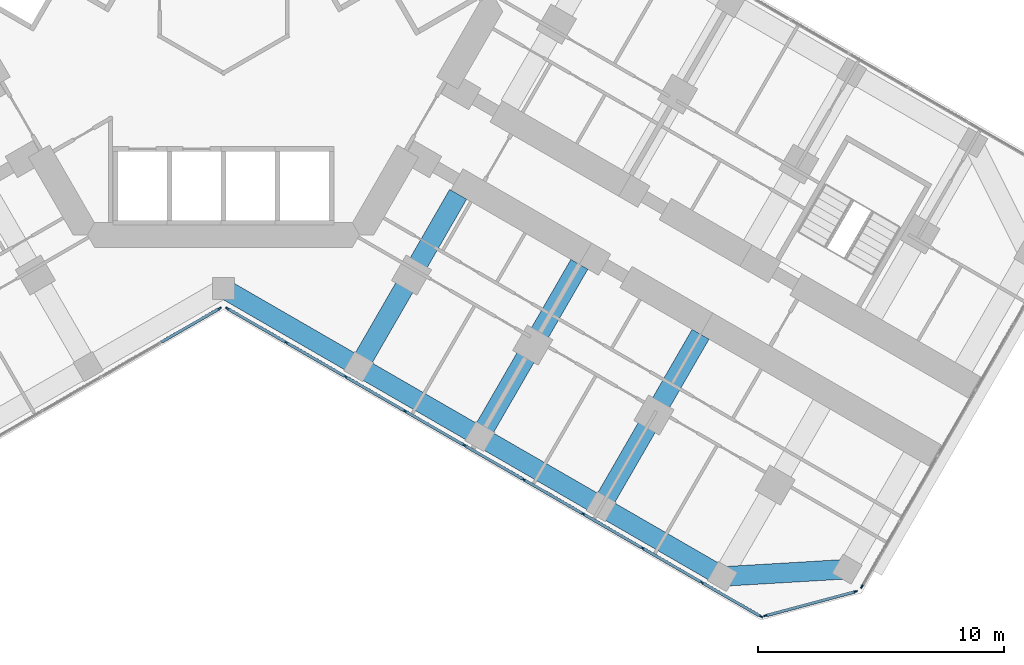
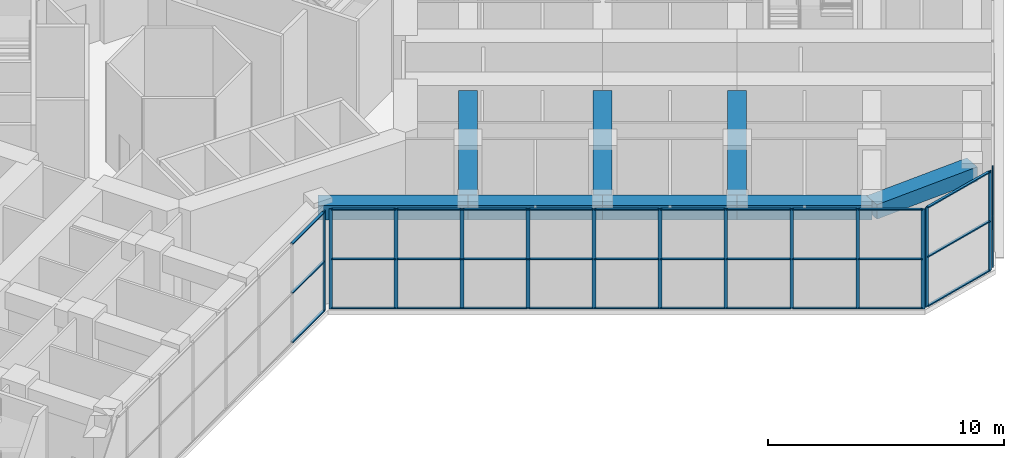
# One storey, part 5 of 23: 47 members, 8 beams, 4 elements without a shape of their own.
"""IFC4 building model written with IfcOpenShell, lengths in metres."""

import ifcopenshell
import ifcopenshell.guid

model = None  # the IFC model being written
_history = None  # IfcOwnerHistory: only IFC2X3 demands one
_inside = {}  # id of a spatial element -> (the spatial element, [elements in it])
_under = {}  # id of a project, library or spatial element -> (it, [spatial elements below it])
_declared = {}  # id of a project -> (the project, [libraries it declares])
_typed = {}  # id of a type object -> (the type object, [elements of that type])
_made_of = {}  # id of a material, layer set ... -> (it, [elements and type objects made of it])


def new_model(schema):
    """Start an empty IFC model of exactly this schema.

    Asked for "IFC4X3", IfcOpenShell would pick the latest addendum, in which some entities
    have other attributes; the version numbers below select the first issue.
    IFC2X3 requires an IfcOwnerHistory on every rooted entity: one is made here for all.
    """
    global model, _history
    if schema == "IFC4X3":
        model = ifcopenshell.file(schema_version=(4, 3, 0, 0))
    else:
        model = ifcopenshell.file(schema=schema)
    _inside.clear()
    _under.clear()
    _declared.clear()
    _typed.clear()
    _made_of.clear()
    _history = None
    if model.schema == "IFC2X3":
        org = make("IfcOrganization", Name="unknown")
        user = make(
            "IfcPersonAndOrganization",
            ThePerson=make("IfcPerson", FamilyName="unknown"),
            TheOrganization=org,
        )
        app = make(
            "IfcApplication",
            ApplicationDeveloper=org,
            Version="unknown",
            ApplicationFullName="unknown",
            ApplicationIdentifier="unknown",
        )
        _history = make(
            "IfcOwnerHistory",
            OwningUser=user,
            OwningApplication=app,
            ChangeAction="ADDED",
            CreationDate=0,
        )
    return model


def make(cls, **values):
    """One entity of the class cls with the attributes given. An attribute that is None is left unset."""
    return model.create_entity(
        cls, **{name: value for name, value in values.items() if value is not None}
    )


def rooted(cls, **values):
    """An entity with a GlobalId (a new one), such as an element, a storey or a relation."""
    return make(cls, GlobalId=ifcopenshell.guid.new(), OwnerHistory=_history, **values)


def si_unit(unit_type, name, prefix=None):
    """IfcSIUnit, for example si_unit("LENGTHUNIT", "METRE", prefix="MILLI")."""
    return make("IfcSIUnit", UnitType=unit_type, Prefix=prefix, Name=name)


def assignment(units):
    """IfcUnitAssignment: the units of a project."""
    return None if units is None else make("IfcUnitAssignment", Units=units)


def point(xyz):
    """IfcCartesianPoint."""
    return None if xyz is None else make("IfcCartesianPoint", Coordinates=xyz)


def direction(xyz):
    """IfcDirection."""
    return None if xyz is None else make("IfcDirection", DirectionRatios=xyz)


def frame(location, z_axis=None, x_axis=None):
    """IfcAxis2Placement3D, a coordinate frame: its origin and axes. An axis left out is left unset."""
    return make(
        "IfcAxis2Placement3D",
        Location=point(location),
        Axis=direction(z_axis),
        RefDirection=direction(x_axis),
    )


def frame_2d(location, x_axis=None):
    """IfcAxis2Placement2D, a coordinate frame in the plane: its origin and x axis."""
    return make(
        "IfcAxis2Placement2D", Location=point(location), RefDirection=direction(x_axis)
    )


def origin():
    """The frame at (0, 0, 0) with its axes left unset."""
    return frame((0.0, 0.0, 0.0))


def origin_2d():
    """The frame at (0, 0) in the plane with its x axis left unset."""
    return frame_2d((0.0, 0.0))


def place(relative_to, where):
    """IfcLocalPlacement: puts the frame where relative to a parent placement (None: the world)."""
    return make(
        "IfcLocalPlacement", PlacementRelTo=relative_to, RelativePlacement=where
    )


def context(
    kind, dimensions, precision=None, world=None, true_north=None, identifier=None
):
    """IfcGeometricRepresentationContext, for example the 3D "Model" context."""
    return make(
        "IfcGeometricRepresentationContext",
        ContextIdentifier=identifier,
        ContextType=kind,
        CoordinateSpaceDimension=dimensions,
        Precision=precision,
        WorldCoordinateSystem=world,
        TrueNorth=true_north,
    )


def subcontext(parent, identifier, kind, view, scale=None):
    """IfcGeometricRepresentationSubContext, for example "Body" below "Model"."""
    return make(
        "IfcGeometricRepresentationSubContext",
        ContextIdentifier=identifier,
        ContextType=kind,
        ParentContext=parent,
        TargetScale=scale,
        TargetView=view,
    )


def project(units=None, contexts=None):
    """IfcProject with its units and contexts."""
    return rooted(
        "IfcProject",
        Name="project",
        RepresentationContexts=contexts,
        UnitsInContext=assignment(units),
    )


def spatial(cls, under=None, at=None, **own):
    """A site, building, storey or space (cls), placed at a placement, below another one or the project."""
    s = rooted(cls, ObjectPlacement=at, **own)
    if under is not None:
        _under.setdefault(under.id(), (under, []))[1].append(s)
    return s


def profile(cls, at=None, kind="AREA", **sizes):
    """A parametric profile (cls). Its sizes go by their IFC names, for example OverallWidth=200.0."""
    return make(cls, ProfileType=kind, Position=at, **sizes)


def rectangle(**sizes):
    """IfcRectangleProfileDef."""
    return profile("IfcRectangleProfileDef", **sizes)


def extrude(swept, where, along, depth):
    """IfcExtrudedAreaSolid: the profile swept, set in the frame where, extruded along a direction by depth."""
    return make(
        "IfcExtrudedAreaSolid",
        SweptArea=swept,
        Position=where,
        ExtrudedDirection=direction(along),
        Depth=depth,
    )


def shape(context_of_items, identifier, shape_type, items):
    """IfcShapeRepresentation: the items that make up one representation, for example the "Body"."""
    return make(
        "IfcShapeRepresentation",
        ContextOfItems=context_of_items,
        RepresentationIdentifier=identifier,
        RepresentationType=shape_type,
        Items=items,
    )


def material(Name=None, Category=None):
    """IfcMaterial."""
    return make("IfcMaterial", Name=Name, Category=Category)


def material_profile(
    of_material, cross_section, Name=None, Category=None, Priority=None
):
    """IfcMaterialProfile: a cross section and its material."""
    return make(
        "IfcMaterialProfile",
        Name=Name,
        Material=of_material,
        Profile=cross_section,
        Priority=Priority,
        Category=Category,
    )


def profile_set(profiles, Name=None, composite=None):
    """IfcMaterialProfileSet."""
    return make(
        "IfcMaterialProfileSet",
        Name=Name,
        MaterialProfiles=profiles,
        CompositeProfile=composite,
    )


def made_of(thing, what):
    """Note that an element or type object is made of a material, layer set ...; save() writes the relation."""
    if what is not None:
        _made_of.setdefault(what.id(), (what, []))[1].append(thing)
    return thing


def type_object(cls, material=None, **own):
    """A type object (cls), such as IfcWallType, which elements share."""
    return made_of(rooted(cls, **own), material)


def element(
    cls,
    number,
    at=None,
    inside=None,
    cuts=None,
    type_object=None,
    material=None,
    context=None,
    identifier="Body",
    shape_type=None,
    held_by="IfcProductDefinitionShape",
    body=None,
    shapes=None,
    **own,
):
    """One element of the class cls, such as IfcWall. Its Tag is "e" and its number.

    at: its placement. inside: the storey or other place that contains it. cuts: it is an
    opening in that element (IfcRelVoidsElement). A single representation is given by context,
    identifier, shape_type and body (its items); several are given by shapes. held_by: the class
    of the entity that holds the representations. save() writes the other relations.
    """
    e = rooted(cls, Tag="e%d" % number, ObjectPlacement=at, **own)
    if body is not None:
        shapes = [shape(context, identifier, shape_type, body)]
    if shapes is not None:
        e.Representation = make(held_by, Representations=shapes)
    if inside is not None:
        _inside.setdefault(inside.id(), (inside, []))[1].append(e)
    if cuts is not None:
        rooted(
            "IfcRelVoidsElement", RelatingBuildingElement=cuts, RelatedOpeningElement=e
        )
    if type_object is not None:
        _typed.setdefault(type_object.id(), (type_object, []))[1].append(e)
    return made_of(e, material)


def aggregate(whole, parts):
    """IfcRelAggregates: a whole, such as a stair, and the parts it consists of."""
    return rooted("IfcRelAggregates", RelatingObject=whole, RelatedObjects=parts)


def save(model, path):
    """Write the relations noted so far, then the file.

    IfcRelAggregates (storeys below a building ...), IfcRelContainedInSpatialStructure (elements
    in a storey), IfcRelDefinesByType, IfcRelAssociatesMaterial and IfcRelDeclares: one each for
    every whole, place, type object, material and project.
    """
    for whole, parts in _under.values():
        aggregate(whole, parts)
    for where, things in _inside.values():
        rooted(
            "IfcRelContainedInSpatialStructure",
            RelatedElements=things,
            RelatingStructure=where,
        )
    for kind, things in _typed.values():
        rooted("IfcRelDefinesByType", RelatedObjects=things, RelatingType=kind)
    for what, things in _made_of.values():
        rooted("IfcRelAssociatesMaterial", RelatedObjects=things, RelatingMaterial=what)
    for by, libraries in _declared.values():
        rooted("IfcRelDeclares", RelatingContext=by, RelatedDefinitions=libraries)
    model.write(path)


model = new_model("IFC4")

# Units and contexts
model_context = context("Model", 3, precision=1e-05, world=origin(), true_north=direction((0.0, 1.0)))
body_context = subcontext(model_context, "Body", "Model", "MODEL_VIEW")
ifc_project = project(units=[si_unit("LENGTHUNIT", "METRE"), si_unit("AREAUNIT", "SQUARE_METRE"), si_unit("VOLUMEUNIT", "CUBIC_METRE"), si_unit("PLANEANGLEUNIT", "RADIAN"), si_unit("MASSUNIT", "GRAM", prefix="KILO")], contexts=[model_context])

# Site, building, storey
site_placement = place(None, origin())
site = spatial("IfcSite", under=ifc_project, at=site_placement, CompositionType="ELEMENT")
building_placement = place(site_placement, origin())
building = spatial("IfcBuilding", under=site, at=building_placement, Name="Kosmar Iwan School Tower", CompositionType="ELEMENT")
storey_placement = place(building_placement, frame((0.0, 0.0, 75.39990234375)))
storey = spatial("IfcBuildingStorey", under=building, at=storey_placement, Name="L18", CompositionType="ELEMENT", Elevation=75.39990234375)

# Curtain wall, member
ifc_material_1 = material(Name="Dark glass in black aluminium frame", Category="aluminium")
curtain_wall_type_1 = type_object("IfcCurtainWallType", Name="Winter garden curtain wall", PredefinedType="USERDEFINED", material=ifc_material_1)
curtain_wall_1_placement = place(storey_placement, origin())
curtain_wall_1 = element("IfcCurtainWall", 1, at=curtain_wall_1_placement, inside=storey, type_object=curtain_wall_type_1, Name="Curtain wall L18-F00", ObjectType="WINTER GARDEN CURTAIN WALL", PredefinedType="USERDEFINED")
ifc_material_2 = material(Name="Black anodised aluminium", Category="aluminium")
ifc_material_profile_1 = material_profile(ifc_material_2, rectangle(XDim=0.06005859375, YDim=0.159912109375, at=origin_2d()), Name="MULLION 60x160")
ifc_profile_set_1 = profile_set([ifc_material_profile_1], Name="Black anodised aluminium")
member_type_1 = type_object("IfcMemberType", Name="Mullion 60x160", PredefinedType="MULLION", material=ifc_profile_set_1)
member_1_placement = place(storey_placement, frame((-0.163818359375, -12.59423828125, 0.0), z_axis=(0.0, 0.0, 1.0), x_axis=(0.500000014888, -0.866025395189, 0.0)))
member_1 = element("IfcMember", 2, at=member_1_placement, type_object=member_type_1, Name="CW7 mullion 1", PredefinedType="MULLION", context=body_context, shape_type="SweptSolid", body=[
    extrude(rectangle(XDim=0.06005859375, YDim=0.159912109375, at=origin_2d()), origin(), (0.0, 0.0, 1.0), 5.150146484375),
])

# Curtain wall, members
curtain_wall_2_placement = place(storey_placement, origin())
curtain_wall_2 = element("IfcCurtainWall", 3, at=curtain_wall_2_placement, inside=storey, type_object=curtain_wall_type_1, Name="Curtain wall L18-F01", ObjectType="WINTER GARDEN CURTAIN WALL", PredefinedType="USERDEFINED")
member_2_placement = place(storey_placement, frame((0.163818359375, -12.59423828125, 0.0), z_axis=(0.0, 0.0, 1.0), x_axis=(0.500000014888, 0.866025395189, 0.0)))
member_2 = element("IfcMember", 4, at=member_2_placement, type_object=member_type_1, Name="CW7 mullion 1", PredefinedType="MULLION", context=body_context, shape_type="SweptSolid", body=[
    extrude(rectangle(XDim=0.06005859375, YDim=0.159912109375, at=origin_2d()), origin(), (0.0, 0.0, 1.0), 5.150146484375),
])
member_3_placement = place(storey_placement, frame((2.556884765625, -13.975830078125, 0.0), z_axis=(0.0, 0.0, 1.0), x_axis=(0.500000014888, 0.866025395189, 0.0)))
member_3 = element("IfcMember", 5, at=member_3_placement, type_object=member_type_1, Name="CW7 mullion 2", PredefinedType="MULLION", context=body_context, shape_type="SweptSolid", body=[
    extrude(rectangle(XDim=0.06005859375, YDim=0.159912109375, at=origin_2d()), origin(), (0.0, 0.0, 1.0), 5.150146484375),
])
member_4_placement = place(storey_placement, frame((4.975830078125, -15.37255859375, 0.0), z_axis=(0.0, 0.0, 1.0), x_axis=(0.500000014888, 0.866025395189, 0.0)))
member_4 = element("IfcMember", 6, at=member_4_placement, type_object=member_type_1, Name="CW7 mullion 3", PredefinedType="MULLION", context=body_context, shape_type="SweptSolid", body=[
    extrude(rectangle(XDim=0.06005859375, YDim=0.159912109375, at=origin_2d()), origin(), (0.0, 0.0, 1.0), 5.150146484375),
])
member_5_placement = place(storey_placement, frame((7.39501953125, -16.76904296875, 0.0), z_axis=(0.0, 0.0, 1.0), x_axis=(0.500000014888, 0.866025395189, 0.0)))
member_5 = element("IfcMember", 7, at=member_5_placement, type_object=member_type_1, Name="CW7 mullion 4", PredefinedType="MULLION", context=body_context, shape_type="SweptSolid", body=[
    extrude(rectangle(XDim=0.06005859375, YDim=0.159912109375, at=origin_2d()), origin(), (0.0, 0.0, 1.0), 5.150146484375),
])
member_6_placement = place(storey_placement, frame((9.81396484375, -18.165771484375, 0.0), z_axis=(0.0, 0.0, 1.0), x_axis=(0.500000014888, 0.866025395189, 0.0)))
member_6 = element("IfcMember", 8, at=member_6_placement, type_object=member_type_1, Name="CW7 mullion 5", PredefinedType="MULLION", context=body_context, shape_type="SweptSolid", body=[
    extrude(rectangle(XDim=0.06005859375, YDim=0.159912109375, at=origin_2d()), origin(), (0.0, 0.0, 1.0), 5.150146484375),
])
member_7_placement = place(storey_placement, frame((12.23291015625, -19.562255859375, 0.0), z_axis=(0.0, 0.0, 1.0), x_axis=(0.500000014888, 0.866025395189, 0.0)))
member_7 = element("IfcMember", 9, at=member_7_placement, type_object=member_type_1, Name="CW7 mullion 6", PredefinedType="MULLION", context=body_context, shape_type="SweptSolid", body=[
    extrude(rectangle(XDim=0.06005859375, YDim=0.159912109375, at=origin_2d()), origin(), (0.0, 0.0, 1.0), 5.150146484375),
])
member_8_placement = place(storey_placement, frame((14.652099609375, -20.958984375, 0.0), z_axis=(0.0, 0.0, 1.0), x_axis=(0.500000014888, 0.866025395189, 0.0)))
member_8 = element("IfcMember", 10, at=member_8_placement, type_object=member_type_1, Name="CW7 mullion 7", PredefinedType="MULLION", context=body_context, shape_type="SweptSolid", body=[
    extrude(rectangle(XDim=0.06005859375, YDim=0.159912109375, at=origin_2d()), origin(), (0.0, 0.0, 1.0), 5.150146484375),
])
member_9_placement = place(storey_placement, frame((17.071044921875, -22.35546875, 0.0), z_axis=(0.0, 0.0, 1.0), x_axis=(0.500000014888, 0.866025395189, 0.0)))
member_9 = element("IfcMember", 11, at=member_9_placement, type_object=member_type_1, Name="CW7 mullion 8", PredefinedType="MULLION", context=body_context, shape_type="SweptSolid", body=[
    extrude(rectangle(XDim=0.06005859375, YDim=0.159912109375, at=origin_2d()), origin(), (0.0, 0.0, 1.0), 5.150146484375),
])
member_10_placement = place(storey_placement, frame((19.489990234375, -23.752197265625, 0.0), z_axis=(0.0, 0.0, 1.0), x_axis=(0.500000014888, 0.866025395189, 0.0)))
member_10 = element("IfcMember", 12, at=member_10_placement, type_object=member_type_1, Name="CW7 mullion 9", PredefinedType="MULLION", context=body_context, shape_type="SweptSolid", body=[
    extrude(rectangle(XDim=0.06005859375, YDim=0.159912109375, at=origin_2d()), origin(), (0.0, 0.0, 1.0), 5.150146484375),
])
member_11_placement = place(storey_placement, frame((21.883056640625, -25.1337890625, 0.0), z_axis=(0.0, 0.0, 1.0), x_axis=(0.500000014888, 0.866025395189, 0.0)))
member_11 = element("IfcMember", 13, at=member_11_placement, type_object=member_type_1, Name="CW7 mullion 10", PredefinedType="MULLION", context=body_context, shape_type="SweptSolid", body=[
    extrude(rectangle(XDim=0.06005859375, YDim=0.159912109375, at=origin_2d()), origin(), (0.0, 0.0, 1.0), 5.150146484375),
])

ifc_material_3 = material(Name="Dark glass in black aluminium frame", Category="aluminium")
curtain_wall_type_2 = type_object("IfcCurtainWallType", Name="Chamfer curtain wall dark glass", PredefinedType="USERDEFINED", material=ifc_material_3)
curtain_wall_3_placement = place(storey_placement, origin())
curtain_wall_3 = element("IfcCurtainWall", 14, at=curtain_wall_3_placement, inside=storey, type_object=curtain_wall_type_2, Name="Curtain wall L18-F02", ObjectType="FACETED CURTAIN WALL", PredefinedType="USERDEFINED")
member_12_placement = place(storey_placement, frame((22.0830078125, -25.102294921875, 0.0), z_axis=(0.0, 0.0, 1.0), x_axis=(-0.258818861462, 0.965925875495, 0.0)))
member_12 = element("IfcMember", 15, at=member_12_placement, type_object=member_type_1, Name="CW2 mullion 1", PredefinedType="MULLION", context=body_context, shape_type="SweptSolid", body=[
    extrude(rectangle(XDim=0.06005859375, YDim=0.159912109375, at=origin_2d()), origin(), (0.0, 0.0, 1.0), 5.150146484375),
])
member_13_placement = place(storey_placement, frame((25.733154296875, -24.124267578125, 0.0), z_axis=(0.0, 0.0, 1.0), x_axis=(-0.258818861462, 0.965925875495, 0.0)))
member_13 = element("IfcMember", 16, at=member_13_placement, type_object=member_type_1, Name="CW2 mullion 2", PredefinedType="MULLION", context=body_context, shape_type="SweptSolid", body=[
    extrude(rectangle(XDim=0.06005859375, YDim=0.159912109375, at=origin_2d()), origin(), (0.0, 0.0, 1.0), 5.150146484375),
])

# Curtain wall, member
ifc_material_4 = material(Name="Dark glass in black aluminium frame", Category="aluminium")
curtain_wall_type_3 = type_object("IfcCurtainWallType", Name="Tower curtain wall dark glass", PredefinedType="USERDEFINED", material=ifc_material_4)
curtain_wall_4_placement = place(storey_placement, origin())
curtain_wall_4 = element("IfcCurtainWall", 17, at=curtain_wall_4_placement, inside=storey, type_object=curtain_wall_type_3, Name="Curtain wall L18-F03", ObjectType="UNITISED CURTAIN WALL", PredefinedType="USERDEFINED")
member_14_placement = place(storey_placement, frame((25.9970703125, -23.921630859375, 0.0), z_axis=(0.0, 0.0, 1.0), x_axis=(-0.866025405329, 0.499999997325, 0.0)))
member_14 = element("IfcMember", 18, at=member_14_placement, type_object=member_type_1, Name="CW1 mullion 1", PredefinedType="MULLION", context=body_context, shape_type="SweptSolid", body=[
    extrude(rectangle(XDim=0.06005859375, YDim=0.159912109375, at=origin_2d()), origin(), (0.0, 0.0, 1.0), 5.150146484375),
])
aggregate(curtain_wall_4, [member_14])

# Beams
ifc_material_5 = material(Name="Concrete C50/60", Category="concrete")
ifc_material_profile_2 = material_profile(ifc_material_5, rectangle(XDim=0.800048828125, YDim=0.75, at=origin_2d()), Name="RC 800x750")
ifc_profile_set_2 = profile_set([ifc_material_profile_2], Name="Concrete C50/60")
beam_type_1 = type_object("IfcBeamType", Name="RC edge beam 800x750", PredefinedType="BEAM", material=ifc_profile_set_2)
beam_1_placement = place(storey_placement, frame((0.0, -11.77783203125, 4.775146484375), z_axis=(0.866014293216, -0.500019243575, 0.0), x_axis=(0.500019243575, 0.866014293216, 0.0)))
element("IfcBeam", 19, at=beam_1_placement, inside=storey, type_object=beam_type_1, Name="Edge beam CR1", PredefinedType="BEAM", context=body_context, shape_type="SweptSolid", body=[
    extrude(rectangle(XDim=0.800048828125, YDim=0.75, at=origin_2d()), origin(), (0.0, 0.0, 1.0), 6.361083984375),
])
beam_2_placement = place(storey_placement, frame((5.5087890625, -14.95849609375, 4.775146484375), z_axis=(0.866033658841, -0.49998570155, 0.0), x_axis=(0.49998570155, 0.866033658841, 0.0)))
element("IfcBeam", 20, at=beam_2_placement, inside=storey, type_object=beam_type_1, Name="Edge beam CR2", PredefinedType="BEAM", context=body_context, shape_type="SweptSolid", body=[
    extrude(rectangle(XDim=0.800048828125, YDim=0.75, at=origin_2d()), origin(), (0.0, 0.0, 1.0), 5.699951171875),
])
beam_3_placement = place(storey_placement, frame((10.445068359375, -17.808349609375, 4.775146484375), z_axis=(0.866025820012, -0.499999279071, 0.0), x_axis=(0.499999279071, 0.866025820012, 0.0)))
element("IfcBeam", 21, at=beam_3_placement, inside=storey, type_object=beam_type_1, Name="Edge beam CR3", PredefinedType="BEAM", context=body_context, shape_type="SweptSolid", body=[
    extrude(rectangle(XDim=0.800048828125, YDim=0.75, at=origin_2d()), origin(), (0.0, 0.0, 1.0), 5.7001953125),
])
beam_4_placement = place(storey_placement, frame((15.381591796875, -20.658447265625, 4.775146484375), z_axis=(0.866015111908, -0.50001782563, 0.0), x_axis=(0.50001782563, 0.866015111908, 0.0)))
element("IfcBeam", 22, at=beam_4_placement, inside=storey, type_object=beam_type_1, Name="Edge beam CR4", PredefinedType="BEAM", context=body_context, shape_type="SweptSolid", body=[
    extrude(rectangle(XDim=0.800048828125, YDim=0.75, at=origin_2d()), origin(), (0.0, 0.0, 1.0), 5.699951171875),
])
ifc_material_6 = material(Name="Concrete C50/60", Category="concrete")
ifc_material_profile_3 = material_profile(ifc_material_6, rectangle(XDim=0.800048828125, YDim=0.75, at=origin_2d()), Name="RC 800x750")
ifc_profile_set_3 = profile_set([ifc_material_profile_3], Name="Concrete C50/60")
beam_type_2 = type_object("IfcBeamType", Name="RC tip beam 800x750", PredefinedType="BEAM", material=ifc_profile_set_3)
beam_5_placement = place(storey_placement, frame((20.31787109375, -23.508544921875, 4.775146484375), z_axis=(0.998260616478, 0.058955420358, 0.0), x_axis=(-0.058955420358, 0.998260616478, 0.0)))
element("IfcBeam", 23, at=beam_5_placement, inside=storey, type_object=beam_type_2, Name="Tip beam CR", PredefinedType="BEAM", context=body_context, shape_type="SweptSolid", body=[
    extrude(rectangle(XDim=0.800048828125, YDim=0.75, at=origin_2d()), origin(), (0.0, 0.0, 1.0), 5.08935546875),
])
ifc_material_7 = material(Name="Concrete C50/60", Category="concrete")
ifc_material_profile_4 = material_profile(ifc_material_7, rectangle(XDim=0.800048828125, YDim=0.89990234375, at=origin_2d()), Name="RC 800x900")
ifc_profile_set_4 = profile_set([ifc_material_profile_4], Name="Concrete C50/60")
beam_type_3 = type_object("IfcBeamType", Name="RC transverse beam 800x900", PredefinedType="BEAM", material=ifc_profile_set_4)
beam_6_placement = place(storey_placement, frame((5.5087890625, -14.95849609375, 4.7001953125), z_axis=(0.499999880539, 0.866025472755, 0.0), x_axis=(-0.866025472755, 0.499999880539, 0.0)))
element("IfcBeam", 24, at=beam_6_placement, inside=storey, type_object=beam_type_3, Name="Transverse beam CR1", PredefinedType="BEAM", context=body_context, shape_type="SweptSolid", body=[
    extrude(rectangle(XDim=0.800048828125, YDim=0.89990234375, at=origin_2d()), origin(), (0.0, 0.0, 1.0), 8.10009765625),
])
beam_7_placement = place(storey_placement, frame((10.445068359375, -17.808349609375, 4.7001953125), z_axis=(0.500012932018, 0.866017937352, 0.0), x_axis=(-0.866017937352, 0.500012932018, 0.0)))
element("IfcBeam", 25, at=beam_7_placement, inside=storey, type_object=beam_type_3, Name="Transverse beam CR2", PredefinedType="BEAM", context=body_context, shape_type="SweptSolid", body=[
    extrude(rectangle(XDim=0.800048828125, YDim=0.89990234375, at=origin_2d()), origin(), (0.0, 0.0, 1.0), 8.099853515625),
])
beam_8_placement = place(storey_placement, frame((15.381591796875, -20.658447265625, 4.7001953125), z_axis=(0.499977274689, 0.866038523851, 0.0), x_axis=(-0.866038523851, 0.499977274689, 0.0)))
element("IfcBeam", 26, at=beam_8_placement, inside=storey, type_object=beam_type_3, Name="Transverse beam CR3", PredefinedType="BEAM", context=body_context, shape_type="SweptSolid", body=[
    extrude(rectangle(XDim=0.800048828125, YDim=0.89990234375, at=origin_2d()), origin(), (0.0, 0.0, 1.0), 8.10009765625),
])

# Member
ifc_material_8 = material(Name="Black anodised aluminium", Category="aluminium")
ifc_material_profile_5 = material_profile(ifc_material_8, rectangle(XDim=0.1201171875, YDim=0.06005859375, at=origin_2d()), Name="TRANSOM 60x120")
ifc_profile_set_5 = profile_set([ifc_material_profile_5], Name="Black anodised aluminium")
member_type_2 = type_object("IfcMemberType", Name="Transom 60x120", PredefinedType="USERDEFINED", material=ifc_profile_set_5)
member_15_placement = place(storey_placement, frame((-0.189697265625, -12.609130859375, 0.030029296875), z_axis=(-0.865994576166, -0.500053391201, 0.0), x_axis=(0.500053391201, -0.865994576166, 0.0)))
member_15 = element("IfcMember", 27, at=member_15_placement, type_object=member_type_2, Name="CW7 transom 1.1", ObjectType="TRANSOM", PredefinedType="USERDEFINED", context=body_context, shape_type="SweptSolid", body=[
    extrude(rectangle(XDim=0.1201171875, YDim=0.06005859375, at=origin_2d()), origin(), (0.0, 0.0, 1.0), 2.703369140625),
])

member_16_placement = place(storey_placement, frame((-0.189697265625, -12.609130859375, 2.5751953125), z_axis=(-0.865994576166, -0.500053391201, 0.0), x_axis=(0.500053391201, -0.865994576166, 0.0)))
member_16 = element("IfcMember", 28, at=member_16_placement, type_object=member_type_2, Name="CW7 transom 1.2", ObjectType="TRANSOM", PredefinedType="USERDEFINED", context=body_context, shape_type="SweptSolid", body=[
    extrude(rectangle(XDim=0.1201171875, YDim=0.06005859375, at=origin_2d()), origin(), (0.0, 0.0, 1.0), 2.703369140625),
])

member_17_placement = place(storey_placement, frame((-0.189697265625, -12.609130859375, 5.1201171875), z_axis=(-0.865994576166, -0.500053391201, 0.0), x_axis=(0.500053391201, -0.865994576166, 0.0)))
member_17 = element("IfcMember", 29, at=member_17_placement, type_object=member_type_2, Name="CW7 transom 1.3", ObjectType="TRANSOM", PredefinedType="USERDEFINED", context=body_context, shape_type="SweptSolid", body=[
    extrude(rectangle(XDim=0.1201171875, YDim=0.06005859375, at=origin_2d()), origin(), (0.0, 0.0, 1.0), 2.703369140625),
])

aggregate(curtain_wall_1, [member_1, member_15, member_16, member_17])

member_18_placement = place(storey_placement, frame((0.189697265625, -12.609130859375, 0.030029296875), z_axis=(0.865994576166, -0.500053391201, 0.0), x_axis=(0.500053391201, 0.865994576166, 0.0)))
member_18 = element("IfcMember", 30, at=member_18_placement, type_object=member_type_2, Name="CW7 transom 1.1", ObjectType="TRANSOM", PredefinedType="USERDEFINED", context=body_context, shape_type="SweptSolid", body=[
    extrude(rectangle(XDim=0.1201171875, YDim=0.06005859375, at=origin_2d()), origin(), (0.0, 0.0, 1.0), 2.703369140625),
])

member_19_placement = place(storey_placement, frame((0.189697265625, -12.609130859375, 2.5751953125), z_axis=(0.865994576166, -0.500053391201, 0.0), x_axis=(0.500053391201, 0.865994576166, 0.0)))
member_19 = element("IfcMember", 31, at=member_19_placement, type_object=member_type_2, Name="CW7 transom 1.2", ObjectType="TRANSOM", PredefinedType="USERDEFINED", context=body_context, shape_type="SweptSolid", body=[
    extrude(rectangle(XDim=0.1201171875, YDim=0.06005859375, at=origin_2d()), origin(), (0.0, 0.0, 1.0), 2.703369140625),
])

member_20_placement = place(storey_placement, frame((0.189697265625, -12.609130859375, 5.1201171875), z_axis=(0.865994576166, -0.500053391201, 0.0), x_axis=(0.500053391201, 0.865994576166, 0.0)))
member_20 = element("IfcMember", 32, at=member_20_placement, type_object=member_type_2, Name="CW7 transom 1.3", ObjectType="TRANSOM", PredefinedType="USERDEFINED", context=body_context, shape_type="SweptSolid", body=[
    extrude(rectangle(XDim=0.1201171875, YDim=0.06005859375, at=origin_2d()), origin(), (0.0, 0.0, 1.0), 2.703369140625),
])

member_21_placement = place(storey_placement, frame((2.582763671875, -13.99072265625, 0.030029296875), z_axis=(0.8660249478, -0.500000789788, 0.0), x_axis=(0.500000789788, 0.8660249478, 0.0)))
member_21 = element("IfcMember", 33, at=member_21_placement, type_object=member_type_2, Name="CW7 transom 2.1", ObjectType="TRANSOM", PredefinedType="USERDEFINED", context=body_context, shape_type="SweptSolid", body=[
    extrude(rectangle(XDim=0.1201171875, YDim=0.06005859375, at=origin_2d()), origin(), (0.0, 0.0, 1.0), 2.7333984375),
])

member_22_placement = place(storey_placement, frame((2.582763671875, -13.99072265625, 2.5751953125), z_axis=(0.8660249478, -0.500000789788, 0.0), x_axis=(0.500000789788, 0.8660249478, 0.0)))
member_22 = element("IfcMember", 34, at=member_22_placement, type_object=member_type_2, Name="CW7 transom 2.2", ObjectType="TRANSOM", PredefinedType="USERDEFINED", context=body_context, shape_type="SweptSolid", body=[
    extrude(rectangle(XDim=0.1201171875, YDim=0.06005859375, at=origin_2d()), origin(), (0.0, 0.0, 1.0), 2.7333984375),
])

member_23_placement = place(storey_placement, frame((2.582763671875, -13.99072265625, 5.1201171875), z_axis=(0.8660249478, -0.500000789788, 0.0), x_axis=(0.500000789788, 0.8660249478, 0.0)))
member_23 = element("IfcMember", 35, at=member_23_placement, type_object=member_type_2, Name="CW7 transom 2.3", ObjectType="TRANSOM", PredefinedType="USERDEFINED", context=body_context, shape_type="SweptSolid", body=[
    extrude(rectangle(XDim=0.1201171875, YDim=0.06005859375, at=origin_2d()), origin(), (0.0, 0.0, 1.0), 2.7333984375),
])

member_24_placement = place(storey_placement, frame((5.001953125, -15.387451171875, 0.030029296875), z_axis=(0.866002615699, -0.500039468044, 0.0), x_axis=(0.500039468044, 0.866002615699, 0.0)))
member_24 = element("IfcMember", 36, at=member_24_placement, type_object=member_type_2, Name="CW7 transom 3.1", ObjectType="TRANSOM", PredefinedType="USERDEFINED", context=body_context, shape_type="SweptSolid", body=[
    extrude(rectangle(XDim=0.1201171875, YDim=0.06005859375, at=origin_2d()), origin(), (0.0, 0.0, 1.0), 2.733154296875),
])

member_25_placement = place(storey_placement, frame((5.001953125, -15.387451171875, 2.5751953125), z_axis=(0.866002615699, -0.500039468044, 0.0), x_axis=(0.500039468044, 0.866002615699, 0.0)))
member_25 = element("IfcMember", 37, at=member_25_placement, type_object=member_type_2, Name="CW7 transom 3.2", ObjectType="TRANSOM", PredefinedType="USERDEFINED", context=body_context, shape_type="SweptSolid", body=[
    extrude(rectangle(XDim=0.1201171875, YDim=0.06005859375, at=origin_2d()), origin(), (0.0, 0.0, 1.0), 2.733154296875),
])

member_26_placement = place(storey_placement, frame((5.001953125, -15.387451171875, 5.1201171875), z_axis=(0.866002615699, -0.500039468044, 0.0), x_axis=(0.500039468044, 0.866002615699, 0.0)))
member_26 = element("IfcMember", 38, at=member_26_placement, type_object=member_type_2, Name="CW7 transom 3.3", ObjectType="TRANSOM", PredefinedType="USERDEFINED", context=body_context, shape_type="SweptSolid", body=[
    extrude(rectangle(XDim=0.1201171875, YDim=0.06005859375, at=origin_2d()), origin(), (0.0, 0.0, 1.0), 2.733154296875),
])

member_27_placement = place(storey_placement, frame((7.4208984375, -16.7841796875, 0.030029296875), z_axis=(0.866041295585, -0.499972473583, 0.0), x_axis=(0.499972473583, 0.866041295585, 0.0)))
member_27 = element("IfcMember", 39, at=member_27_placement, type_object=member_type_2, Name="CW7 transom 4.1", ObjectType="TRANSOM", PredefinedType="USERDEFINED", context=body_context, shape_type="SweptSolid", body=[
    extrude(rectangle(XDim=0.1201171875, YDim=0.06005859375, at=origin_2d()), origin(), (0.0, 0.0, 1.0), 2.733154296875),
])

member_28_placement = place(storey_placement, frame((7.4208984375, -16.7841796875, 2.5751953125), z_axis=(0.866041295585, -0.499972473583, 0.0), x_axis=(0.499972473583, 0.866041295585, 0.0)))
member_28 = element("IfcMember", 40, at=member_28_placement, type_object=member_type_2, Name="CW7 transom 4.2", ObjectType="TRANSOM", PredefinedType="USERDEFINED", context=body_context, shape_type="SweptSolid", body=[
    extrude(rectangle(XDim=0.1201171875, YDim=0.06005859375, at=origin_2d()), origin(), (0.0, 0.0, 1.0), 2.733154296875),
])

member_29_placement = place(storey_placement, frame((7.4208984375, -16.7841796875, 5.1201171875), z_axis=(0.866041295585, -0.499972473583, 0.0), x_axis=(0.499972473583, 0.866041295585, 0.0)))
member_29 = element("IfcMember", 41, at=member_29_placement, type_object=member_type_2, Name="CW7 transom 4.3", ObjectType="TRANSOM", PredefinedType="USERDEFINED", context=body_context, shape_type="SweptSolid", body=[
    extrude(rectangle(XDim=0.1201171875, YDim=0.06005859375, at=origin_2d()), origin(), (0.0, 0.0, 1.0), 2.733154296875),
])

member_30_placement = place(storey_placement, frame((9.83984375, -18.1806640625, 0.030029296875), z_axis=(0.8660249478, -0.500000789788, 0.0), x_axis=(0.500000789788, 0.8660249478, 0.0)))
member_30 = element("IfcMember", 42, at=member_30_placement, type_object=member_type_2, Name="CW7 transom 5.1", ObjectType="TRANSOM", PredefinedType="USERDEFINED", context=body_context, shape_type="SweptSolid", body=[
    extrude(rectangle(XDim=0.1201171875, YDim=0.06005859375, at=origin_2d()), origin(), (0.0, 0.0, 1.0), 2.7333984375),
])

member_31_placement = place(storey_placement, frame((9.83984375, -18.1806640625, 2.5751953125), z_axis=(0.8660249478, -0.500000789788, 0.0), x_axis=(0.500000789788, 0.8660249478, 0.0)))
member_31 = element("IfcMember", 43, at=member_31_placement, type_object=member_type_2, Name="CW7 transom 5.2", ObjectType="TRANSOM", PredefinedType="USERDEFINED", context=body_context, shape_type="SweptSolid", body=[
    extrude(rectangle(XDim=0.1201171875, YDim=0.06005859375, at=origin_2d()), origin(), (0.0, 0.0, 1.0), 2.7333984375),
])

member_32_placement = place(storey_placement, frame((9.83984375, -18.1806640625, 5.1201171875), z_axis=(0.8660249478, -0.500000789788, 0.0), x_axis=(0.500000789788, 0.8660249478, 0.0)))
member_32 = element("IfcMember", 44, at=member_32_placement, type_object=member_type_2, Name="CW7 transom 5.3", ObjectType="TRANSOM", PredefinedType="USERDEFINED", context=body_context, shape_type="SweptSolid", body=[
    extrude(rectangle(XDim=0.1201171875, YDim=0.06005859375, at=origin_2d()), origin(), (0.0, 0.0, 1.0), 2.7333984375),
])

member_33_placement = place(storey_placement, frame((12.259033203125, -19.577392578125, 0.030029296875), z_axis=(0.866041295585, -0.499972473583, 0.0), x_axis=(0.499972473583, 0.866041295585, 0.0)))
member_33 = element("IfcMember", 45, at=member_33_placement, type_object=member_type_2, Name="CW7 transom 6.1", ObjectType="TRANSOM", PredefinedType="USERDEFINED", context=body_context, shape_type="SweptSolid", body=[
    extrude(rectangle(XDim=0.1201171875, YDim=0.06005859375, at=origin_2d()), origin(), (0.0, 0.0, 1.0), 2.733154296875),
])

member_34_placement = place(storey_placement, frame((12.259033203125, -19.577392578125, 2.5751953125), z_axis=(0.866041295585, -0.499972473583, 0.0), x_axis=(0.499972473583, 0.866041295585, 0.0)))
member_34 = element("IfcMember", 46, at=member_34_placement, type_object=member_type_2, Name="CW7 transom 6.2", ObjectType="TRANSOM", PredefinedType="USERDEFINED", context=body_context, shape_type="SweptSolid", body=[
    extrude(rectangle(XDim=0.1201171875, YDim=0.06005859375, at=origin_2d()), origin(), (0.0, 0.0, 1.0), 2.733154296875),
])

member_35_placement = place(storey_placement, frame((12.259033203125, -19.577392578125, 5.1201171875), z_axis=(0.866041295585, -0.499972473583, 0.0), x_axis=(0.499972473583, 0.866041295585, 0.0)))
member_35 = element("IfcMember", 47, at=member_35_placement, type_object=member_type_2, Name="CW7 transom 6.3", ObjectType="TRANSOM", PredefinedType="USERDEFINED", context=body_context, shape_type="SweptSolid", body=[
    extrude(rectangle(XDim=0.1201171875, YDim=0.06005859375, at=origin_2d()), origin(), (0.0, 0.0, 1.0), 2.733154296875),
])

member_36_placement = place(storey_placement, frame((14.677978515625, -20.973876953125, 0.030029296875), z_axis=(0.866002615699, -0.500039468044, 0.0), x_axis=(0.500039468044, 0.866002615699, 0.0)))
member_36 = element("IfcMember", 48, at=member_36_placement, type_object=member_type_2, Name="CW7 transom 7.1", ObjectType="TRANSOM", PredefinedType="USERDEFINED", context=body_context, shape_type="SweptSolid", body=[
    extrude(rectangle(XDim=0.1201171875, YDim=0.06005859375, at=origin_2d()), origin(), (0.0, 0.0, 1.0), 2.733154296875),
])

member_37_placement = place(storey_placement, frame((14.677978515625, -20.973876953125, 2.5751953125), z_axis=(0.866002615699, -0.500039468044, 0.0), x_axis=(0.500039468044, 0.866002615699, 0.0)))
member_37 = element("IfcMember", 49, at=member_37_placement, type_object=member_type_2, Name="CW7 transom 7.2", ObjectType="TRANSOM", PredefinedType="USERDEFINED", context=body_context, shape_type="SweptSolid", body=[
    extrude(rectangle(XDim=0.1201171875, YDim=0.06005859375, at=origin_2d()), origin(), (0.0, 0.0, 1.0), 2.733154296875),
])

member_38_placement = place(storey_placement, frame((14.677978515625, -20.973876953125, 5.1201171875), z_axis=(0.866002615699, -0.500039468044, 0.0), x_axis=(0.500039468044, 0.866002615699, 0.0)))
member_38 = element("IfcMember", 50, at=member_38_placement, type_object=member_type_2, Name="CW7 transom 7.3", ObjectType="TRANSOM", PredefinedType="USERDEFINED", context=body_context, shape_type="SweptSolid", body=[
    extrude(rectangle(XDim=0.1201171875, YDim=0.06005859375, at=origin_2d()), origin(), (0.0, 0.0, 1.0), 2.733154296875),
])

member_39_placement = place(storey_placement, frame((17.096923828125, -22.37060546875, 0.030029296875), z_axis=(0.8660249478, -0.500000789788, 0.0), x_axis=(0.500000789788, 0.8660249478, 0.0)))
member_39 = element("IfcMember", 51, at=member_39_placement, type_object=member_type_2, Name="CW7 transom 8.1", ObjectType="TRANSOM", PredefinedType="USERDEFINED", context=body_context, shape_type="SweptSolid", body=[
    extrude(rectangle(XDim=0.1201171875, YDim=0.06005859375, at=origin_2d()), origin(), (0.0, 0.0, 1.0), 2.7333984375),
])

member_40_placement = place(storey_placement, frame((17.096923828125, -22.37060546875, 2.5751953125), z_axis=(0.8660249478, -0.500000789788, 0.0), x_axis=(0.500000789788, 0.8660249478, 0.0)))
member_40 = element("IfcMember", 52, at=member_40_placement, type_object=member_type_2, Name="CW7 transom 8.2", ObjectType="TRANSOM", PredefinedType="USERDEFINED", context=body_context, shape_type="SweptSolid", body=[
    extrude(rectangle(XDim=0.1201171875, YDim=0.06005859375, at=origin_2d()), origin(), (0.0, 0.0, 1.0), 2.7333984375),
])

member_41_placement = place(storey_placement, frame((17.096923828125, -22.37060546875, 5.1201171875), z_axis=(0.8660249478, -0.500000789788, 0.0), x_axis=(0.500000789788, 0.8660249478, 0.0)))
member_41 = element("IfcMember", 53, at=member_41_placement, type_object=member_type_2, Name="CW7 transom 8.3", ObjectType="TRANSOM", PredefinedType="USERDEFINED", context=body_context, shape_type="SweptSolid", body=[
    extrude(rectangle(XDim=0.1201171875, YDim=0.06005859375, at=origin_2d()), origin(), (0.0, 0.0, 1.0), 2.7333984375),
])

member_42_placement = place(storey_placement, frame((19.51611328125, -23.76708984375, 0.030029296875), z_axis=(0.865994576166, -0.500053391201, 0.0), x_axis=(0.500053391201, 0.865994576166, 0.0)))
member_42 = element("IfcMember", 54, at=member_42_placement, type_object=member_type_2, Name="CW7 transom 9.1", ObjectType="TRANSOM", PredefinedType="USERDEFINED", context=body_context, shape_type="SweptSolid", body=[
    extrude(rectangle(XDim=0.1201171875, YDim=0.06005859375, at=origin_2d()), origin(), (0.0, 0.0, 1.0), 2.703369140625),
])

member_43_placement = place(storey_placement, frame((19.51611328125, -23.76708984375, 2.5751953125), z_axis=(0.865994576166, -0.500053391201, 0.0), x_axis=(0.500053391201, 0.865994576166, 0.0)))
member_43 = element("IfcMember", 55, at=member_43_placement, type_object=member_type_2, Name="CW7 transom 9.2", ObjectType="TRANSOM", PredefinedType="USERDEFINED", context=body_context, shape_type="SweptSolid", body=[
    extrude(rectangle(XDim=0.1201171875, YDim=0.06005859375, at=origin_2d()), origin(), (0.0, 0.0, 1.0), 2.703369140625),
])

member_44_placement = place(storey_placement, frame((19.51611328125, -23.76708984375, 5.1201171875), z_axis=(0.865994576166, -0.500053391201, 0.0), x_axis=(0.500053391201, 0.865994576166, 0.0)))
member_44 = element("IfcMember", 56, at=member_44_placement, type_object=member_type_2, Name="CW7 transom 9.3", ObjectType="TRANSOM", PredefinedType="USERDEFINED", context=body_context, shape_type="SweptSolid", body=[
    extrude(rectangle(XDim=0.1201171875, YDim=0.06005859375, at=origin_2d()), origin(), (0.0, 0.0, 1.0), 2.703369140625),
])

aggregate(curtain_wall_2, [member_2, member_3, member_4, member_5, member_6, member_7, member_8, member_9, member_10, member_11, member_18, member_19, member_20, member_21, member_22, member_23, member_24, member_25, member_26, member_27, member_28, member_29, member_30, member_31, member_32, member_33, member_34, member_35, member_36, member_37, member_38, member_39, member_40, member_41, member_42, member_43, member_44])

member_45_placement = place(storey_placement, frame((22.11181640625, -25.094482421875, 0.030029296875), z_axis=(0.965923731726, 0.258826861991, 0.0), x_axis=(-0.258826861991, 0.965923731726, 0.0)))
member_45 = element("IfcMember", 57, at=member_45_placement, type_object=member_type_2, Name="CW2 transom 1.1", ObjectType="TRANSOM", PredefinedType="USERDEFINED", context=body_context, shape_type="SweptSolid", body=[
    extrude(rectangle(XDim=0.1201171875, YDim=0.06005859375, at=origin_2d()), origin(), (0.0, 0.0, 1.0), 3.71923828125),
])

member_46_placement = place(storey_placement, frame((22.11181640625, -25.094482421875, 2.5751953125), z_axis=(0.965923731726, 0.258826861991, 0.0), x_axis=(-0.258826861991, 0.965923731726, 0.0)))
member_46 = element("IfcMember", 58, at=member_46_placement, type_object=member_type_2, Name="CW2 transom 1.2", ObjectType="TRANSOM", PredefinedType="USERDEFINED", context=body_context, shape_type="SweptSolid", body=[
    extrude(rectangle(XDim=0.1201171875, YDim=0.06005859375, at=origin_2d()), origin(), (0.0, 0.0, 1.0), 3.71923828125),
])

member_47_placement = place(storey_placement, frame((22.11181640625, -25.094482421875, 5.1201171875), z_axis=(0.965923731726, 0.258826861991, 0.0), x_axis=(-0.258826861991, 0.965923731726, 0.0)))
member_47 = element("IfcMember", 59, at=member_47_placement, type_object=member_type_2, Name="CW2 transom 1.3", ObjectType="TRANSOM", PredefinedType="USERDEFINED", context=body_context, shape_type="SweptSolid", body=[
    extrude(rectangle(XDim=0.1201171875, YDim=0.06005859375, at=origin_2d()), origin(), (0.0, 0.0, 1.0), 3.71923828125),
])

aggregate(curtain_wall_3, [member_12, member_13, member_45, member_46, member_47])

save(model, "model.ifc")
